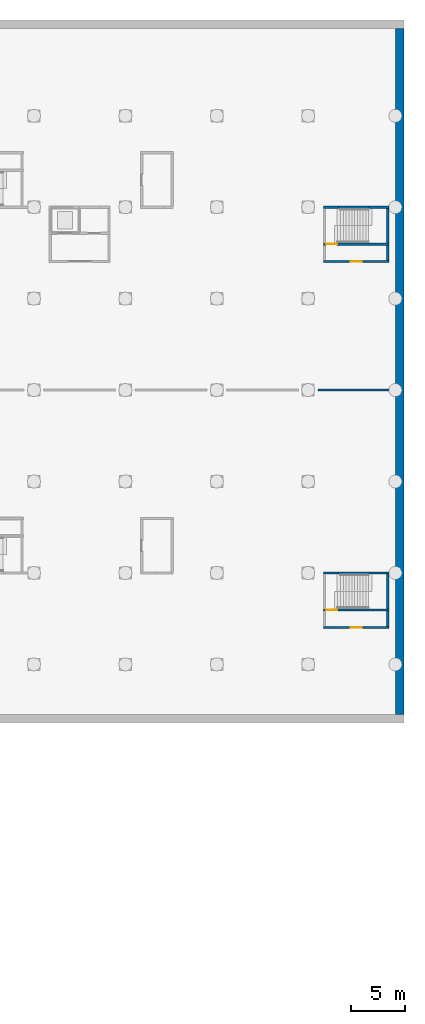
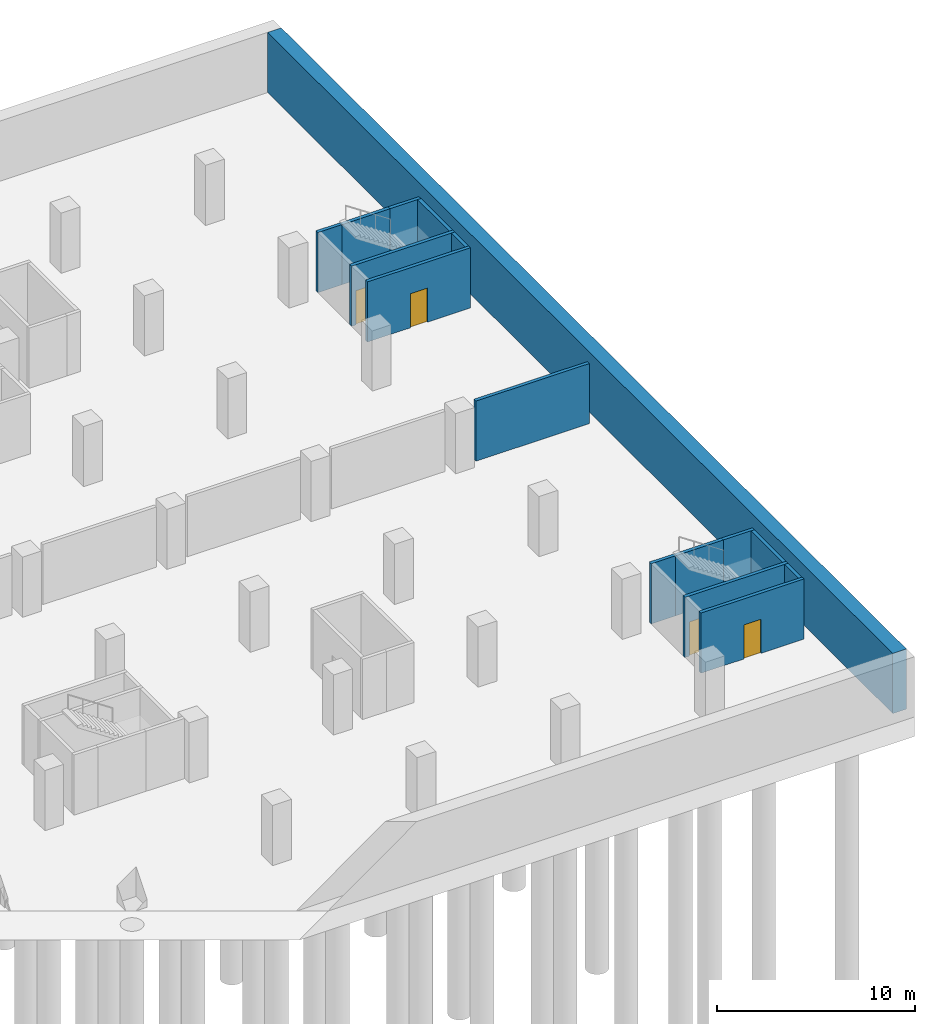
# One storey, part 13 of 19: 16 walls, 4 doors, 4 openings.
"""IFC4 building model written with IfcOpenShell, lengths in metres."""

from ifc_helpers import new_model, si_unit, direction, frame, frame_2d, origin, place, context, subcontext, project, spatial, rectangle, extrude, material, layer, layer_set, type_object, element, fill, save


model = new_model("IFC4")

# Units and contexts
model_context = context("Model", 3, precision=1e-05, world=origin(), true_north=direction((0.0, 1.0)))
body_context = subcontext(model_context, "Body", "Model", "MODEL_VIEW")
ifc_project = project(units=[si_unit("LENGTHUNIT", "METRE"), si_unit("AREAUNIT", "SQUARE_METRE"), si_unit("VOLUMEUNIT", "CUBIC_METRE"), si_unit("PLANEANGLEUNIT", "RADIAN"), si_unit("MASSUNIT", "GRAM", prefix="KILO")], contexts=[model_context])

# Site, building, storey
site_placement = place(None, origin())
site = spatial("IfcSite", under=ifc_project, at=site_placement, CompositionType="ELEMENT")
building_placement = place(site_placement, origin())
building = spatial("IfcBuilding", under=site, at=building_placement, Name="Vermilion Gate Residences", CompositionType="ELEMENT")
storey_placement = place(building_placement, frame((0.0, 0.0, -8.0)))
storey = spatial("IfcBuildingStorey", under=building, at=storey_placement, Name="B2", CompositionType="ELEMENT", Elevation=-8.0)

# Walls
ifc_material_1 = material(Name="Concrete blockwork", Category="masonry")
ifc_layer_1 = layer(ifc_material_1, 0.199951171875)
ifc_layer_set_1 = layer_set([ifc_layer_1], Name="GARAGE FIRE WALL 200 EI 120 (AMENITY)")
wall_type_1 = type_object("IfcWallType", Name="GARAGE FIRE WALL 200 EI 120 (AMENITY)", PredefinedType="PARTITIONING", material=ifc_layer_set_1)
wall_1_placement = place(storey_placement, frame((118.5, 67.199951171875, 0.0), z_axis=(0.0, 0.0, 1.0), x_axis=(1.0, 0.0, 0.0)))
element("IfcWall", 1, at=wall_1_placement, inside=storey, type_object=wall_type_1, Name="Fire compartment wall", PredefinedType="PARTITIONING", context=body_context, shape_type="SweptSolid", body=[
    extrude(rectangle(XDim=6.60009765625, YDim=0.199951171875, at=frame_2d((3.300048828125, 0.0))), origin(), (0.0, 0.0, 1.0), 3.699951171875),
])
ifc_material_2 = material(Name="Concrete C40", Category="concrete")
ifc_layer_2 = layer(ifc_material_2, 0.800048828125)
ifc_layer_set_2 = layer_set([ifc_layer_2], Name="RC DIAPHRAGM WALL 800 C40")
wall_type_2 = type_object("IfcWallType", Name="RC DIAPHRAGM WALL 800 C40", PredefinedType="SOLIDWALL", material=ifc_layer_set_2)
wall_2_placement = place(storey_placement, frame((126.0, 37.39990234375, 0.0), z_axis=(0.0, 0.0, 1.0), x_axis=(0.0, 1.0, 0.0)))
element("IfcWall", 2, at=wall_2_placement, inside=storey, type_object=wall_type_2, Name="Diaphragm wall B2 5", PredefinedType="SOLIDWALL", context=body_context, shape_type="SweptSolid", body=[
    extrude(rectangle(XDim=63.0, YDim=0.800048828125, at=frame_2d((31.5, 0.0))), origin(), (0.0, 0.0, 1.0), 3.699951171875),
])

# Wall, opening, door
ifc_material_3 = material(Name="Concrete C40", Category="concrete")
ifc_layer_3 = layer(ifc_material_3, 0.199951171875)
ifc_layer_set_3 = layer_set([ifc_layer_3], Name="RC STAIR AND SHAFT WALL 200 EI 180 C40 (AMENITY)")
wall_type_3 = type_object("IfcWallType", Name="RC STAIR AND SHAFT WALL 200 EI 180 C40 (AMENITY)", PredefinedType="SOLIDWALL", material=ifc_layer_set_3)
wall_3_placement = place(storey_placement, frame((119.0, 45.39990234375, 0.0), z_axis=(0.0, 0.0, 1.0), x_axis=(1.0, 0.0, 0.0)))
wall_3 = element("IfcWall", 3, at=wall_3_placement, inside=storey, type_object=wall_type_3, Name="Stair and shaft wall 180", PredefinedType="SOLIDWALL", context=body_context, shape_type="SweptSolid", body=[
    extrude(rectangle(XDim=6.0, YDim=0.199951171875, at=frame_2d((3.0, 0.0))), origin(), (0.0, 0.0, 1.0), 3.699951171875),
])
opening_1_placement = place(wall_3_placement, frame((2.5, 0.0, 0.0)))
opening_1 = element("IfcOpeningElement", 4, at=opening_1_placement, cuts=wall_3, Name="Opening DMB2013", PredefinedType="OPENING", context=body_context, shape_type="SweptSolid", body=[
    extrude(rectangle(XDim=1.0, YDim=2.10009765625, at=frame_2d((0.5, 1.050048828125))), frame((0.0, 0.10986328125, 0.0), z_axis=(0.0, -1.0, 0.0), x_axis=(1.0, 0.0, 0.0)), (0.0, 0.0, 1.0), 0.219970703125),
])
ifc_material_4 = material(Name="Steel", Category="steel")
door_type = type_object("IfcDoorType", Name="DOOR 1000 X 2100 FD60 (AMENITY)", OperationType="SINGLE_SWING_LEFT", PredefinedType="DOOR", material=ifc_material_4)
door_1_placement = place(opening_1_placement, frame((1.0, 0.0, 0.0), z_axis=(0.0, 0.0, 1.0), x_axis=(-1.0, 0.0, 0.0)))
door_1 = element("IfcDoor", 5, at=door_1_placement, inside=storey, type_object=door_type, Name="Door B2 13", OperationType="SINGLE_SWING_RIGHT", OverallHeight=2.10009765625, OverallWidth=1.0, PredefinedType="DOOR", context=body_context, shape_type="SweptSolid", body=[
    extrude(rectangle(XDim=1.0, YDim=2.10009765625, at=frame_2d((0.5, 1.050048828125))), frame((0.0, 0.02490234375, 0.0), z_axis=(0.0, -1.0, 0.0), x_axis=(1.0, 0.0, 0.0)), (0.0, 0.0, 1.0), 0.050048828125),
])
fill(opening_1, door_1)

wall_4_placement = place(storey_placement, frame((119.0, 47.0, 0.0), z_axis=(0.0, 0.0, 1.0), x_axis=(1.0, 0.0, 0.0)))
wall_4 = element("IfcWall", 6, at=wall_4_placement, inside=storey, type_object=wall_type_3, Name="Stair and shaft wall 182", PredefinedType="SOLIDWALL", context=body_context, shape_type="SweptSolid", body=[
    extrude(rectangle(XDim=6.0, YDim=0.199951171875, at=frame_2d((3.0, 0.0))), origin(), (0.0, 0.0, 1.0), 3.699951171875),
])
opening_2_placement = place(wall_4_placement, frame((0.25, 0.0, 0.0)))
opening_2 = element("IfcOpeningElement", 7, at=opening_2_placement, cuts=wall_4, Name="Opening DMB2014", PredefinedType="OPENING", context=body_context, shape_type="SweptSolid", body=[
    extrude(rectangle(XDim=1.0, YDim=2.10009765625, at=frame_2d((0.5, 1.050048828125))), frame((0.0, 0.10986328125, 0.0), z_axis=(0.0, -1.0, 0.0), x_axis=(1.0, 0.0, 0.0)), (0.0, 0.0, 1.0), 0.219970703125),
])
door_2_placement = place(opening_2_placement, origin())
door_2 = element("IfcDoor", 8, at=door_2_placement, inside=storey, type_object=door_type, Name="Door B2 14", OperationType="SINGLE_SWING_RIGHT", OverallHeight=2.10009765625, OverallWidth=1.0, PredefinedType="DOOR", context=body_context, shape_type="SweptSolid", body=[
    extrude(rectangle(XDim=1.0, YDim=2.10009765625, at=frame_2d((0.5, 1.050048828125))), frame((0.0, 0.02490234375, 0.0), z_axis=(0.0, -1.0, 0.0), x_axis=(1.0, 0.0, 0.0)), (0.0, 0.0, 1.0), 0.050048828125),
])
fill(opening_2, door_2)

# Wall
wall_5_placement = place(storey_placement, frame((119.0, 50.39990234375, 0.0), z_axis=(0.0, 0.0, 1.0), x_axis=(1.0, 0.0, 0.0)))
element("IfcWall", 9, at=wall_5_placement, inside=storey, type_object=wall_type_3, Name="Stair and shaft wall 183", PredefinedType="SOLIDWALL", context=body_context, shape_type="SweptSolid", body=[
    extrude(rectangle(XDim=1.39990234375, YDim=0.199951171875, at=frame_2d((0.699951171875, 0.0))), origin(), (0.0, 0.0, 1.0), 3.699951171875),
])

# Wall, opening, door
wall_6_placement = place(storey_placement, frame((119.0, 79.0, 0.0), z_axis=(0.0, 0.0, 1.0), x_axis=(1.0, 0.0, 0.0)))
wall_6 = element("IfcWall", 10, at=wall_6_placement, inside=storey, type_object=wall_type_3, Name="Stair and shaft wall 185", PredefinedType="SOLIDWALL", context=body_context, shape_type="SweptSolid", body=[
    extrude(rectangle(XDim=6.0, YDim=0.199951171875, at=frame_2d((3.0, 0.0))), origin(), (0.0, 0.0, 1.0), 3.699951171875),
])
opening_3_placement = place(wall_6_placement, frame((2.5, 0.0, 0.0)))
opening_3 = element("IfcOpeningElement", 11, at=opening_3_placement, cuts=wall_6, Name="Opening DMB2029", PredefinedType="OPENING", context=body_context, shape_type="SweptSolid", body=[
    extrude(rectangle(XDim=1.0, YDim=2.10009765625, at=frame_2d((0.5, 1.050048828125))), frame((0.0, 0.10986328125, 0.0), z_axis=(0.0, -1.0, 0.0), x_axis=(1.0, 0.0, 0.0)), (0.0, 0.0, 1.0), 0.219970703125),
])
door_3_placement = place(opening_3_placement, frame((1.0, 0.0, 0.0), z_axis=(0.0, 0.0, 1.0), x_axis=(-1.0, 0.0, 0.0)))
door_3 = element("IfcDoor", 12, at=door_3_placement, inside=storey, type_object=door_type, Name="Door B2 29", OperationType="SINGLE_SWING_RIGHT", OverallHeight=2.10009765625, OverallWidth=1.0, PredefinedType="DOOR", context=body_context, shape_type="SweptSolid", body=[
    extrude(rectangle(XDim=1.0, YDim=2.10009765625, at=frame_2d((0.5, 1.050048828125))), frame((0.0, 0.02490234375, 0.0), z_axis=(0.0, -1.0, 0.0), x_axis=(1.0, 0.0, 0.0)), (0.0, 0.0, 1.0), 0.050048828125),
])
fill(opening_3, door_3)

wall_7_placement = place(storey_placement, frame((119.0, 80.60009765625, 0.0), z_axis=(0.0, 0.0, 1.0), x_axis=(1.0, 0.0, 0.0)))
wall_7 = element("IfcWall", 13, at=wall_7_placement, inside=storey, type_object=wall_type_3, Name="Stair and shaft wall 187", PredefinedType="SOLIDWALL", context=body_context, shape_type="SweptSolid", body=[
    extrude(rectangle(XDim=6.0, YDim=0.199951171875, at=frame_2d((3.0, 0.0))), origin(), (0.0, 0.0, 1.0), 3.699951171875),
])
opening_4_placement = place(wall_7_placement, frame((0.25, 0.0, 0.0)))
opening_4 = element("IfcOpeningElement", 14, at=opening_4_placement, cuts=wall_7, Name="Opening DMB2030", PredefinedType="OPENING", context=body_context, shape_type="SweptSolid", body=[
    extrude(rectangle(XDim=1.0, YDim=2.10009765625, at=frame_2d((0.5, 1.050048828125))), frame((0.0, 0.10986328125, 0.0), z_axis=(0.0, -1.0, 0.0), x_axis=(1.0, 0.0, 0.0)), (0.0, 0.0, 1.0), 0.219970703125),
])
door_4_placement = place(opening_4_placement, origin())
door_4 = element("IfcDoor", 15, at=door_4_placement, inside=storey, type_object=door_type, Name="Door B2 30", OperationType="SINGLE_SWING_RIGHT", OverallHeight=2.10009765625, OverallWidth=1.0, PredefinedType="DOOR", context=body_context, shape_type="SweptSolid", body=[
    extrude(rectangle(XDim=1.0, YDim=2.10009765625, at=frame_2d((0.5, 1.050048828125))), frame((0.0, 0.02490234375, 0.0), z_axis=(0.0, -1.0, 0.0), x_axis=(1.0, 0.0, 0.0)), (0.0, 0.0, 1.0), 0.050048828125),
])
fill(opening_4, door_4)

# Walls
wall_8_placement = place(storey_placement, frame((119.0, 84.0, 0.0), z_axis=(0.0, 0.0, 1.0), x_axis=(1.0, 0.0, 0.0)))
element("IfcWall", 16, at=wall_8_placement, inside=storey, type_object=wall_type_3, Name="Stair and shaft wall 188", PredefinedType="SOLIDWALL", context=body_context, shape_type="SweptSolid", body=[
    extrude(rectangle(XDim=1.39990234375, YDim=0.199951171875, at=frame_2d((0.699951171875, 0.0))), origin(), (0.0, 0.0, 1.0), 3.699951171875),
])
for number, where, z_axis, x_axis, name in (
    (17, (120.39990234375, 50.39990234375, 0.0), (0.0, 0.0, 1.0), (1.0, 0.0, 0.0), "Stair and shaft wall 189"),
    (18, (120.39990234375, 84.0, 0.0), (0.0, 0.0, 1.0), (1.0, 0.0, 0.0), "Stair and shaft wall 190"),
):
    element("IfcWall", number, at=place(storey_placement, frame(where, z_axis=z_axis, x_axis=x_axis)), inside=storey, type_object=wall_type_3, Name=name, PredefinedType="SOLIDWALL", context=body_context, shape_type="SweptSolid", body=[
        extrude(rectangle(XDim=2.800048828125, YDim=0.199951171875, at=frame_2d((1.39990234375, 0.0))), origin(), (0.0, 0.0, 1.0), 3.699951171875),
    ])
for number, where, z_axis, x_axis, name in (
    (19, (123.199951171875, 50.39990234375, 0.0), (0.0, 0.0, 1.0), (1.0, 0.0, 0.0), "Stair and shaft wall 191"),
    (20, (123.199951171875, 84.0, 0.0), (0.0, 0.0, 1.0), (1.0, 0.0, 0.0), "Stair and shaft wall 192"),
):
    element("IfcWall", number, at=place(storey_placement, frame(where, z_axis=z_axis, x_axis=x_axis)), inside=storey, type_object=wall_type_3, Name=name, PredefinedType="SOLIDWALL", context=body_context, shape_type="SweptSolid", body=[
        extrude(rectangle(XDim=1.800048828125, YDim=0.199951171875, at=frame_2d((0.89990234375, 0.0))), origin(), (0.0, 0.0, 1.0), 3.699951171875),
    ])
wall_9_placement = place(storey_placement, frame((124.89990234375, 45.5, 0.0), z_axis=(0.0, 0.0, 1.0), x_axis=(0.0, 1.0, 0.0)))
element("IfcWall", 21, at=wall_9_placement, inside=storey, type_object=wall_type_3, Name="Stair and shaft wall 193", PredefinedType="SOLIDWALL", context=body_context, shape_type="SweptSolid", body=[
    extrude(rectangle(XDim=1.39990234375, YDim=0.199951171875, at=frame_2d((0.699951171875, 0.0))), origin(), (0.0, 0.0, 1.0), 3.699951171875),
])
wall_10_placement = place(storey_placement, frame((124.89990234375, 47.10009765625, 0.0), z_axis=(0.0, 0.0, 1.0), x_axis=(0.0, 1.0, 0.0)))
element("IfcWall", 22, at=wall_10_placement, inside=storey, type_object=wall_type_3, Name="Stair and shaft wall 194", PredefinedType="SOLIDWALL", context=body_context, shape_type="SweptSolid", body=[
    extrude(rectangle(XDim=3.199951171875, YDim=0.199951171875, at=frame_2d((1.60009765625, 0.0))), origin(), (0.0, 0.0, 1.0), 3.699951171875),
])
wall_11_placement = place(storey_placement, frame((124.89990234375, 79.10009765625, 0.0), z_axis=(0.0, 0.0, 1.0), x_axis=(0.0, 1.0, 0.0)))
element("IfcWall", 23, at=wall_11_placement, inside=storey, type_object=wall_type_3, Name="Stair and shaft wall 195", PredefinedType="SOLIDWALL", context=body_context, shape_type="SweptSolid", body=[
    extrude(rectangle(XDim=1.39990234375, YDim=0.199951171875, at=frame_2d((0.699951171875, 0.0))), origin(), (0.0, 0.0, 1.0), 3.699951171875),
])
wall_12_placement = place(storey_placement, frame((124.89990234375, 80.699951171875, 0.0), z_axis=(0.0, 0.0, 1.0), x_axis=(0.0, 1.0, 0.0)))
element("IfcWall", 24, at=wall_12_placement, inside=storey, type_object=wall_type_3, Name="Stair and shaft wall 196", PredefinedType="SOLIDWALL", context=body_context, shape_type="SweptSolid", body=[
    extrude(rectangle(XDim=3.199951171875, YDim=0.199951171875, at=frame_2d((1.60009765625, 0.0))), origin(), (0.0, 0.0, 1.0), 3.699951171875),
])

save(model, "model.ifc")
